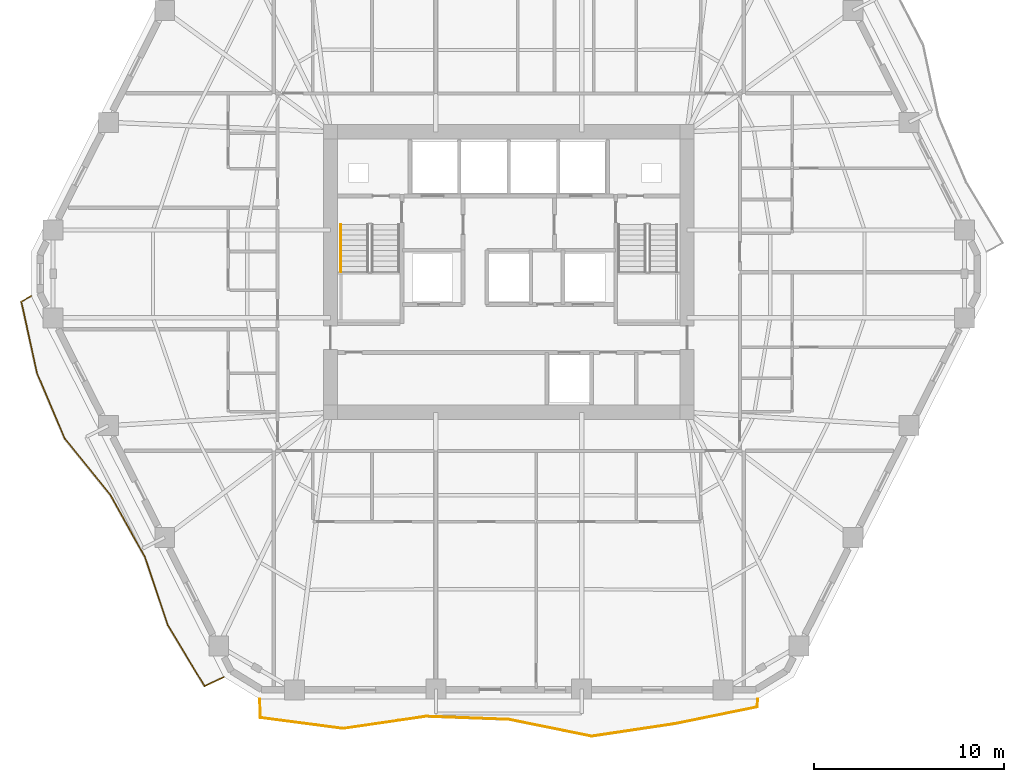
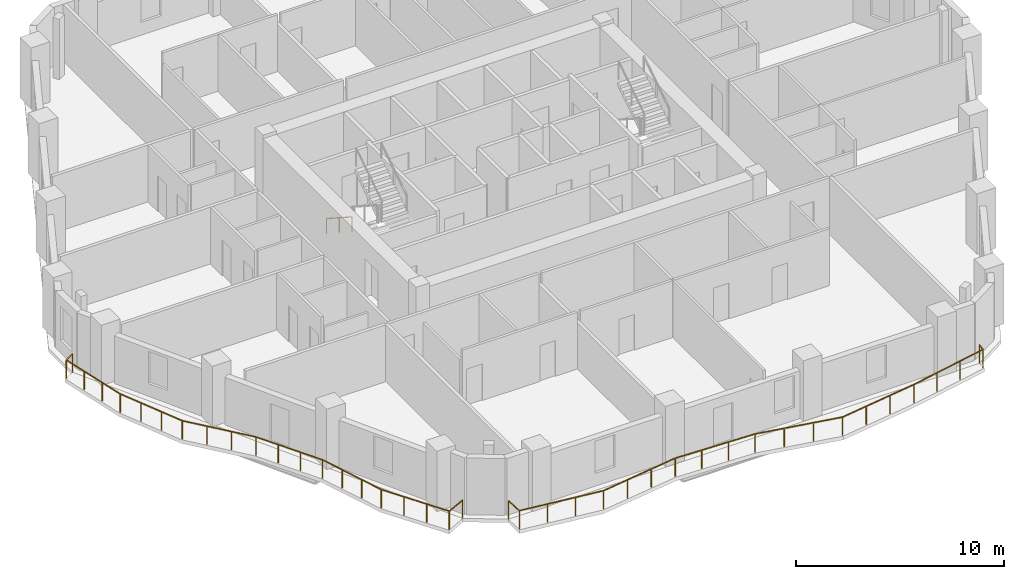
# One storey, part 9 of 11: 3 railings.
"""IFC4 building model written with IfcOpenShell, lengths in metres."""

from ifc_helpers import new_model, si_unit, direction, frame, origin, origin_2d, place, context, subcontext, project, spatial, rectangle, extrude, material, type_object, element, save


model = new_model("IFC4")

# Units and contexts
model_context = context("Model", 3, precision=1e-05, world=origin(), true_north=direction((0.0, 1.0)))
body_context = subcontext(model_context, "Body", "Model", "MODEL_VIEW")
ifc_project = project(units=[si_unit("LENGTHUNIT", "METRE"), si_unit("AREAUNIT", "SQUARE_METRE"), si_unit("VOLUMEUNIT", "CUBIC_METRE"), si_unit("PLANEANGLEUNIT", "RADIAN"), si_unit("MASSUNIT", "GRAM", prefix="KILO")], contexts=[model_context])

# Site, building, storey
site_placement = place(None, origin())
site = spatial("IfcSite", under=ifc_project, at=site_placement, CompositionType="ELEMENT")
building_placement = place(site_placement, origin())
building = spatial("IfcBuilding", under=site, at=building_placement, Name="Cinnabar Lancet Tower", CompositionType="ELEMENT")
storey_placement = place(building_placement, frame((0.0, 0.0, 133.89990234375)))
storey = spatial("IfcBuildingStorey", under=building, at=storey_placement, Name="L35", CompositionType="ELEMENT", Elevation=133.89990234375)

# Railings
ifc_material_1 = material(Name="Laminated safety glass and bronze stainless steel balustrade", Category="steel")
railing_type_1 = type_object("IfcRailingType", Name="ENV-RLG-BAL-1100", PredefinedType="BALUSTRADE", material=ifc_material_1)
railing_1_placement = place(storey_placement, frame((19.30810546875, 3.449951171875, 0.0)))
element("IfcRailing", 1, at=railing_1_placement, inside=storey, type_object=railing_type_1, Name="L35 Face 1 Wave Balcony Balustrade", PredefinedType="BALUSTRADE", context=body_context, shape_type="SweptSolid", body=[
    extrude(rectangle(XDim=0.048095703125, YDim=0.048095703125, at=origin_2d()), frame((0.0, 0.0, 1.076171875), z_axis=(0.034789846321, -0.999394650072, 0.0), x_axis=(0.999394650072, 0.034789846321, 0.0)), (0.0, 0.0, 1.0), 0.975341796875),
    extrude(rectangle(XDim=0.048095703125, YDim=0.048095703125, at=origin_2d()), frame((0.033935546875, -0.974853515625, 1.076171875), z_axis=(0.991508708017, -0.130040308851, 0.0), x_axis=(0.130040308851, 0.991508708017, 0.0)), (0.0, 0.0, 1.0), 4.391357421875),
    extrude(rectangle(XDim=0.048095703125, YDim=0.048095703125, at=origin_2d()), frame((4.387939453125, -1.5458984375, 1.076171875), z_axis=(0.989431374103, 0.145001917024, 0.0), x_axis=(-0.145001917024, 0.989431374103, 0.0)), (0.0, 0.0, 1.0), 4.3994140625),
    extrude(rectangle(XDim=0.048095703125, YDim=0.048095703125, at=origin_2d()), frame((8.740966796875, -0.907958984375, 1.076171875), z_axis=(0.999316982911, -0.036953587999, 0.0), x_axis=(0.036953587999, 0.999316982911, 0.0)), (0.0, 0.0, 1.0), 4.353759765625),
    extrude(rectangle(XDim=0.048095703125, YDim=0.048095703125, at=origin_2d()), frame((13.091796875, -1.06884765625, 1.076171875), z_axis=(0.980029191648, -0.198853673634, 0.0), x_axis=(0.198853673634, 0.980029191648, 0.0)), (0.0, 0.0, 1.0), 4.440673828125),
    extrude(rectangle(XDim=0.048095703125, YDim=0.048095703125, at=origin_2d()), frame((17.44384765625, -1.951904296875, 1.076171875), z_axis=(0.989000557999, 0.147911785461, 0.0), x_axis=(-0.147911785461, 0.989000557999, 0.0)), (0.0, 0.0, 1.0), 4.400390625),
    extrude(rectangle(XDim=0.048095703125, YDim=0.048095703125, at=origin_2d()), frame((21.7958984375, -1.301025390625, 1.076171875), z_axis=(0.979812407446, 0.199919099175, 0.0), x_axis=(-0.199919099175, 0.979812407446, 0.0)), (0.0, 0.0, 1.0), 4.442626953125),
    extrude(rectangle(XDim=0.048095703125, YDim=0.048095703125, at=origin_2d()), frame((26.14892578125, -0.412841796875, 1.076171875), z_axis=(0.084264582146, 0.996443415451, 0.0), x_axis=(-0.996443415451, 0.084264582146, 0.0)), (0.0, 0.0, 1.0), 0.414306640625),
    extrude(rectangle(XDim=0.0419921875, YDim=0.0419921875, at=origin_2d()), origin(), (0.0, 0.0, 1.0), 1.052001953125),
    extrude(rectangle(XDim=0.0419921875, YDim=0.0419921875, at=origin_2d()), frame((0.033935546875, -0.974853515625, 0.0)), (0.0, 0.0, 1.0), 1.052001953125),
    extrude(rectangle(XDim=0.0419921875, YDim=0.0419921875, at=origin_2d()), frame((1.4853515625, -1.165283203125, 0.0)), (0.0, 0.0, 1.0), 1.052001953125),
    extrude(rectangle(XDim=0.0419921875, YDim=0.0419921875, at=origin_2d()), frame((2.9365234375, -1.35546875, 0.0)), (0.0, 0.0, 1.0), 1.052001953125),
    extrude(rectangle(XDim=0.0419921875, YDim=0.0419921875, at=origin_2d()), frame((4.387939453125, -1.5458984375, 0.0)), (0.0, 0.0, 1.0), 1.052001953125),
    extrude(rectangle(XDim=0.0419921875, YDim=0.0419921875, at=origin_2d()), frame((5.8388671875, -1.333251953125, 0.0)), (0.0, 0.0, 1.0), 1.052001953125),
    extrude(rectangle(XDim=0.0419921875, YDim=0.0419921875, at=origin_2d()), frame((7.2900390625, -1.12060546875, 0.0)), (0.0, 0.0, 1.0), 1.052001953125),
    extrude(rectangle(XDim=0.0419921875, YDim=0.0419921875, at=origin_2d()), frame((8.740966796875, -0.907958984375, 0.0)), (0.0, 0.0, 1.0), 1.052001953125),
    extrude(rectangle(XDim=0.0419921875, YDim=0.0419921875, at=origin_2d()), frame((10.191162109375, -0.961669921875, 0.0)), (0.0, 0.0, 1.0), 1.052001953125),
    extrude(rectangle(XDim=0.0419921875, YDim=0.0419921875, at=origin_2d()), frame((11.6416015625, -1.01513671875, 0.0)), (0.0, 0.0, 1.0), 1.052001953125),
    extrude(rectangle(XDim=0.0419921875, YDim=0.0419921875, at=origin_2d()), frame((13.091796875, -1.06884765625, 0.0)), (0.0, 0.0, 1.0), 1.052001953125),
    extrude(rectangle(XDim=0.0419921875, YDim=0.0419921875, at=origin_2d()), frame((14.54248046875, -1.36328125, 0.0)), (0.0, 0.0, 1.0), 1.052001953125),
    extrude(rectangle(XDim=0.0419921875, YDim=0.0419921875, at=origin_2d()), frame((15.9931640625, -1.657470703125, 0.0)), (0.0, 0.0, 1.0), 1.052001953125),
    extrude(rectangle(XDim=0.0419921875, YDim=0.0419921875, at=origin_2d()), frame((17.44384765625, -1.951904296875, 0.0)), (0.0, 0.0, 1.0), 1.052001953125),
    extrude(rectangle(XDim=0.0419921875, YDim=0.0419921875, at=origin_2d()), frame((18.89453125, -1.73486328125, 0.0)), (0.0, 0.0, 1.0), 1.052001953125),
    extrude(rectangle(XDim=0.0419921875, YDim=0.0419921875, at=origin_2d()), frame((20.34521484375, -1.51806640625, 0.0)), (0.0, 0.0, 1.0), 1.052001953125),
    extrude(rectangle(XDim=0.0419921875, YDim=0.0419921875, at=origin_2d()), frame((21.7958984375, -1.301025390625, 0.0)), (0.0, 0.0, 1.0), 1.052001953125),
    extrude(rectangle(XDim=0.0419921875, YDim=0.0419921875, at=origin_2d()), frame((23.246826171875, -1.0048828125, 0.0)), (0.0, 0.0, 1.0), 1.052001953125),
    extrude(rectangle(XDim=0.0419921875, YDim=0.0419921875, at=origin_2d()), frame((24.697998046875, -0.708984375, 0.0)), (0.0, 0.0, 1.0), 1.052001953125),
    extrude(rectangle(XDim=0.0419921875, YDim=0.0419921875, at=origin_2d()), frame((26.14892578125, -0.412841796875, 0.0)), (0.0, 0.0, 1.0), 1.052001953125),
    extrude(rectangle(XDim=0.0419921875, YDim=0.0419921875, at=origin_2d()), frame((26.183837890625, 0.0, 0.0)), (0.0, 0.0, 1.0), 1.052001953125),
])
railing_2_placement = place(storey_placement, frame((7.287109375, 24.639892578125, 0.0)))
element("IfcRailing", 2, at=railing_2_placement, inside=storey, type_object=railing_type_1, Name="L35 Face 6 Wave Balcony Balustrade", PredefinedType="BALUSTRADE", context=body_context, shape_type="SweptSolid", body=[
    extrude(rectangle(XDim=0.048095703125, YDim=0.048095703125, at=origin_2d()), frame((0.0, 0.0, 1.076171875), z_axis=(-0.869657276271, -0.493655975178, 0.0), x_axis=(0.493655975178, -0.869657276271, 0.0)), (0.0, 0.0, 1.0), 0.593505859375),
    extrude(rectangle(XDim=0.048095703125, YDim=0.048095703125, at=origin_2d()), frame((-0.51611328125, -0.29296875, 1.076171875), z_axis=(0.21379700532, -0.976878109344, 0.0), x_axis=(0.976878109344, 0.21379700532, 0.0)), (0.0, 0.0, 1.0), 3.85400390625),
    extrude(rectangle(XDim=0.048095703125, YDim=0.048095703125, at=origin_2d()), frame((0.307861328125, -4.057861328125, 1.076171875), z_axis=(0.39091529992, -0.920426655573, 0.0), x_axis=(0.920426655573, 0.39091529992, 0.0)), (0.0, 0.0, 1.0), 3.73974609375),
    extrude(rectangle(XDim=0.048095703125, YDim=0.048095703125, at=origin_2d()), frame((1.769775390625, -7.5, 1.076171875), z_axis=(0.629203752113, -0.777240399315, 0.0), x_axis=(0.777240399315, 0.629203752113, 0.0)), (0.0, 0.0, 1.0), 3.814697265625),
    extrude(rectangle(XDim=0.048095703125, YDim=0.048095703125, at=origin_2d()), frame((4.169921875, -10.46484375, 1.076171875), z_axis=(0.485753945457, -0.874095592297, 0.0), x_axis=(0.874095592297, 0.485753945457, 0.0)), (0.0, 0.0, 1.0), 3.734375),
    extrude(rectangle(XDim=0.048095703125, YDim=0.048095703125, at=origin_2d()), frame((5.98388671875, -13.72900390625, 1.076171875), z_axis=(0.318440907506, -0.947942713684, 0.0), x_axis=(0.947942713684, 0.318440907506, 0.0)), (0.0, 0.0, 1.0), 3.771240234375),
    extrude(rectangle(XDim=0.048095703125, YDim=0.048095703125, at=origin_2d()), frame((7.184814453125, -17.303955078125, 1.076171875), z_axis=(0.515665481932, -0.856790003877, 0.0), x_axis=(0.856790003877, 0.515665481932, 0.0)), (0.0, 0.0, 1.0), 3.7431640625),
    extrude(rectangle(XDim=0.048095703125, YDim=0.048095703125, at=origin_2d()), frame((9.114990234375, -20.510986328125, 1.076171875), z_axis=(0.904213783229, 0.427080126227, 0.0), x_axis=(-0.427080126227, 0.904213783229, 0.0)), (0.0, 0.0, 1.0), 1.126708984375),
    extrude(rectangle(XDim=0.0419921875, YDim=0.0419921875, at=origin_2d()), origin(), (0.0, 0.0, 1.0), 1.052001953125),
    extrude(rectangle(XDim=0.0419921875, YDim=0.0419921875, at=origin_2d()), frame((-0.51611328125, -0.29296875, 0.0)), (0.0, 0.0, 1.0), 1.052001953125),
    extrude(rectangle(XDim=0.0419921875, YDim=0.0419921875, at=origin_2d()), frame((-0.241455078125, -1.5478515625, 0.0)), (0.0, 0.0, 1.0), 1.052001953125),
    extrude(rectangle(XDim=0.0419921875, YDim=0.0419921875, at=origin_2d()), frame((0.033203125, -2.802978515625, 0.0)), (0.0, 0.0, 1.0), 1.052001953125),
    extrude(rectangle(XDim=0.0419921875, YDim=0.0419921875, at=origin_2d()), frame((0.307861328125, -4.057861328125, 0.0)), (0.0, 0.0, 1.0), 1.052001953125),
    extrude(rectangle(XDim=0.0419921875, YDim=0.0419921875, at=origin_2d()), frame((0.795166015625, -5.205322265625, 0.0)), (0.0, 0.0, 1.0), 1.052001953125),
    extrude(rectangle(XDim=0.0419921875, YDim=0.0419921875, at=origin_2d()), frame((1.282470703125, -6.3525390625, 0.0)), (0.0, 0.0, 1.0), 1.052001953125),
    extrude(rectangle(XDim=0.0419921875, YDim=0.0419921875, at=origin_2d()), frame((1.769775390625, -7.5, 0.0)), (0.0, 0.0, 1.0), 1.052001953125),
    extrude(rectangle(XDim=0.0419921875, YDim=0.0419921875, at=origin_2d()), frame((2.56982421875, -8.48828125, 0.0)), (0.0, 0.0, 1.0), 1.052001953125),
    extrude(rectangle(XDim=0.0419921875, YDim=0.0419921875, at=origin_2d()), frame((3.369873046875, -9.4765625, 0.0)), (0.0, 0.0, 1.0), 1.052001953125),
    extrude(rectangle(XDim=0.0419921875, YDim=0.0419921875, at=origin_2d()), frame((4.169921875, -10.46484375, 0.0)), (0.0, 0.0, 1.0), 1.052001953125),
    extrude(rectangle(XDim=0.0419921875, YDim=0.0419921875, at=origin_2d()), frame((4.774658203125, -11.552978515625, 0.0)), (0.0, 0.0, 1.0), 1.052001953125),
    extrude(rectangle(XDim=0.0419921875, YDim=0.0419921875, at=origin_2d()), frame((5.379150390625, -12.640869140625, 0.0)), (0.0, 0.0, 1.0), 1.052001953125),
    extrude(rectangle(XDim=0.0419921875, YDim=0.0419921875, at=origin_2d()), frame((5.98388671875, -13.72900390625, 0.0)), (0.0, 0.0, 1.0), 1.052001953125),
    extrude(rectangle(XDim=0.0419921875, YDim=0.0419921875, at=origin_2d()), frame((6.38427734375, -14.920654296875, 0.0)), (0.0, 0.0, 1.0), 1.052001953125),
    extrude(rectangle(XDim=0.0419921875, YDim=0.0419921875, at=origin_2d()), frame((6.784423828125, -16.1123046875, 0.0)), (0.0, 0.0, 1.0), 1.052001953125),
    extrude(rectangle(XDim=0.0419921875, YDim=0.0419921875, at=origin_2d()), frame((7.184814453125, -17.303955078125, 0.0)), (0.0, 0.0, 1.0), 1.052001953125),
    extrude(rectangle(XDim=0.0419921875, YDim=0.0419921875, at=origin_2d()), frame((7.828125, -18.373046875, 0.0)), (0.0, 0.0, 1.0), 1.052001953125),
    extrude(rectangle(XDim=0.0419921875, YDim=0.0419921875, at=origin_2d()), frame((8.4716796875, -19.44189453125, 0.0)), (0.0, 0.0, 1.0), 1.052001953125),
    extrude(rectangle(XDim=0.0419921875, YDim=0.0419921875, at=origin_2d()), frame((9.114990234375, -20.510986328125, 0.0)), (0.0, 0.0, 1.0), 1.052001953125),
    extrude(rectangle(XDim=0.0419921875, YDim=0.0419921875, at=origin_2d()), frame((10.1337890625, -20.02978515625, 0.0)), (0.0, 0.0, 1.0), 1.052001953125),
])
ifc_material_2 = material(Name="Brushed stainless steel handrail", Category="steel")
railing_type_2 = type_object("IfcRailingType", Name="HANDRAIL-STAIR", PredefinedType="HANDRAIL", material=ifc_material_2)
railing_3_placement = place(storey_placement, frame((23.574951171875, 28.39990234375, 0.177490234375)))
element("IfcRailing", 3, at=railing_3_placement, inside=storey, type_object=railing_type_2, Name="L35 ST-1 stair handrail 1", PredefinedType="HANDRAIL", context=body_context, shape_type="SweptSolid", body=[
    extrude(rectangle(XDim=0.048095703125, YDim=0.048095703125, at=origin_2d()), frame((0.0, 0.0, 0.8759765625), z_axis=(0.0, -0.84014559416, 0.542360932049), x_axis=(1.0, 0.0, 0.0)), (0.0, 0.0, 1.0), 2.94580078125),
    extrude(rectangle(XDim=0.0419921875, YDim=0.0419921875, at=origin_2d()), origin(), (0.0, 0.0, 1.0), 0.851806640625),
    extrude(rectangle(XDim=0.0419921875, YDim=0.0419921875, at=origin_2d()), frame((0.0, -1.2373046875, 0.798828125)), (0.0, 0.0, 1.0), 0.851806640625),
    extrude(rectangle(XDim=0.0419921875, YDim=0.0419921875, at=origin_2d()), frame((0.0, -2.474853515625, 1.59765625)), (0.0, 0.0, 1.0), 0.851806640625),
])

save(model, "model.ifc")
